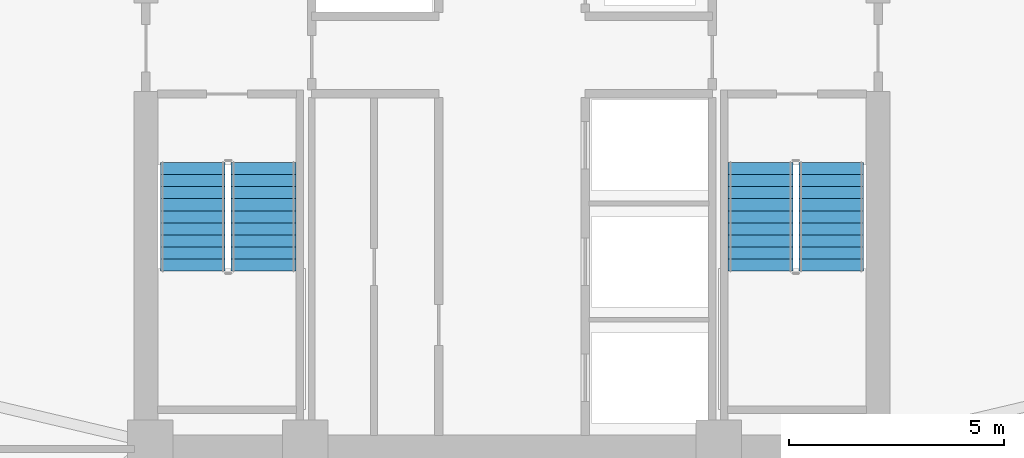
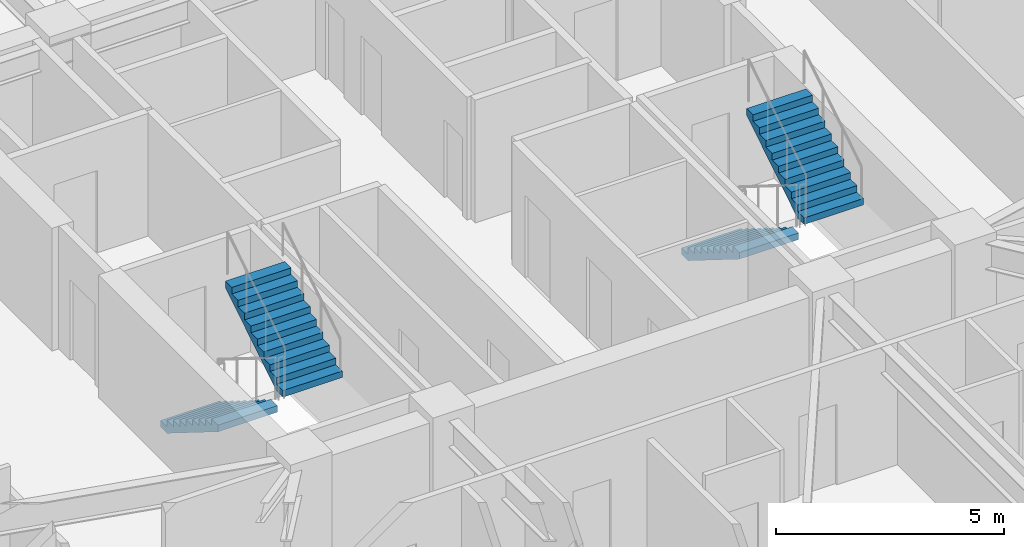
# One storey, part 6 of 10: 4 stair flights, 2 elements without a shape of their own.
"""IFC4 building model written with IfcOpenShell, lengths in metres."""

from ifc_helpers import new_model, si_unit, direction, frame, origin, place, context, subcontext, project, spatial, polyline, outline, extrude, material, type_object, element, aggregate, save


model = new_model("IFC4")

# Units and contexts
model_context = context("Model", 3, precision=1e-05, world=origin(), true_north=direction((0.0, 1.0)))
body_context = subcontext(model_context, "Body", "Model", "MODEL_VIEW")
ifc_project = project(units=[si_unit("LENGTHUNIT", "METRE"), si_unit("AREAUNIT", "SQUARE_METRE"), si_unit("VOLUMEUNIT", "CUBIC_METRE"), si_unit("PLANEANGLEUNIT", "RADIAN"), si_unit("MASSUNIT", "GRAM", prefix="KILO")], contexts=[model_context])

# Site, building, storey
site_placement = place(None, origin())
site = spatial("IfcSite", under=ifc_project, at=site_placement, CompositionType="ELEMENT")
building_placement = place(site_placement, origin())
building = spatial("IfcBuilding", under=site, at=building_placement, Name="Cairnveth Concourse Tower", CompositionType="ELEMENT")
storey_placement = place(building_placement, frame((0.0, 0.0, 144.5)))
storey = spatial("IfcBuildingStorey", under=building, at=storey_placement, Name="L39", CompositionType="ELEMENT", Elevation=144.5)

# Stair, stair flights
ifc_material = material(Name="Precast concrete N50 (50 MPa)", Category="concrete")
stair_type = type_object("IfcStairType", Name="CORE DOG-LEG FIRE STAIR 1500", PredefinedType="HALF_TURN_STAIR", material=ifc_material)
stair_1_placement = place(storey_placement, origin())
stair_1 = element("IfcStair", 1, at=stair_1_placement, inside=storey, type_object=stair_type, Name="L39 Fire-Isolated Stair ST-1", PredefinedType="HALF_TURN_STAIR")
stair_flight_type = type_object("IfcStairFlightType", Name="PRECAST CONCRETE STAIR FLIGHT 1500", PredefinedType="STRAIGHT", material=ifc_material)
stair_flight_1_placement = place(storey_placement, frame((44.590087890625, 37.10009765625, 0.0), z_axis=(0.0, 0.0, 1.0), x_axis=(0.0, -1.0, 0.0)))
stair_flight_1 = element("IfcStairFlight", 2, at=stair_flight_1_placement, type_object=stair_flight_type, Name="ST-1 flight 1", NumberOfRisers=10, NumberOfTreads=9, PredefinedType="STRAIGHT", RiserHeight=0.175, TreadLength=0.28, context=body_context, shape_type="SweptSolid", body=[
    extrude(outline(polyline([(0.0, 0.0), (0.0, 0.175048828125), (0.280029296875, 0.175048828125), (0.280029296875, 0.35009765625), (0.56005859375, 0.35009765625), (0.56005859375, 0.52490234375), (0.840087890625, 0.52490234375), (0.840087890625, 0.699951171875), (1.1201171875, 0.699951171875), (1.1201171875, 0.875), (1.39990234375, 0.875), (1.39990234375, 1.050048828125), (1.679931640625, 1.050048828125), (1.679931640625, 1.22509765625), (1.9599609375, 1.22509765625), (1.9599609375, 1.39990234375), (2.239990234375, 1.39990234375), (2.239990234375, 1.574951171875), (2.52001953125, 1.574951171875), (2.52001953125, 1.75), (2.52001953125, 1.398193359375), (0.28271484375, 0.0), (0.0, 0.0)])), frame((0.0, 0.75, 0.0), z_axis=(0.0, -1.0, 0.0), x_axis=(1.0, 0.0, 0.0)), (0.0, 0.0, 1.0), 1.5),
])
stair_flight_2_placement = place(storey_placement, frame((46.22998046875, 34.580078125, 1.75), z_axis=(0.0, 0.0, 1.0), x_axis=(0.0, 1.0, 0.0)))
stair_flight_2 = element("IfcStairFlight", 3, at=stair_flight_2_placement, type_object=stair_flight_type, Name="ST-1 flight 2", NumberOfRisers=10, NumberOfTreads=9, PredefinedType="STRAIGHT", RiserHeight=0.175, TreadLength=0.28, context=body_context, shape_type="SweptSolid", body=[
    extrude(outline(polyline([(0.0, 0.0), (0.0, 0.175048828125), (0.280029296875, 0.175048828125), (0.280029296875, 0.35009765625), (0.56005859375, 0.35009765625), (0.56005859375, 0.52490234375), (0.840087890625, 0.52490234375), (0.840087890625, 0.699951171875), (1.1201171875, 0.699951171875), (1.1201171875, 0.875), (1.39990234375, 0.875), (1.39990234375, 1.050048828125), (1.679931640625, 1.050048828125), (1.679931640625, 1.22509765625), (1.9599609375, 1.22509765625), (1.9599609375, 1.39990234375), (2.239990234375, 1.39990234375), (2.239990234375, 1.574951171875), (2.52001953125, 1.574951171875), (2.52001953125, 1.75), (2.52001953125, 1.398193359375), (0.28271484375, 0.0), (0.0, 0.0)])), frame((0.0, 0.75, 0.0), z_axis=(0.0, -1.0, 0.0), x_axis=(1.0, 0.0, 0.0)), (0.0, 0.0, 1.0), 1.5),
])
aggregate(stair_1, [stair_flight_1, stair_flight_2])

stair_2_placement = place(storey_placement, origin())
stair_2 = element("IfcStair", 4, at=stair_2_placement, inside=storey, type_object=stair_type, Name="L39 Fire-Isolated Stair ST-2", PredefinedType="HALF_TURN_STAIR")
stair_flight_3_placement = place(storey_placement, frame((57.77001953125, 37.10009765625, 0.0), z_axis=(0.0, 0.0, 1.0), x_axis=(0.0, -1.0, 0.0)))
stair_flight_3 = element("IfcStairFlight", 5, at=stair_flight_3_placement, type_object=stair_flight_type, Name="ST-2 flight 1", NumberOfRisers=10, NumberOfTreads=9, PredefinedType="STRAIGHT", RiserHeight=0.175, TreadLength=0.28, context=body_context, shape_type="SweptSolid", body=[
    extrude(outline(polyline([(0.0, 0.0), (0.0, 0.175048828125), (0.280029296875, 0.175048828125), (0.280029296875, 0.35009765625), (0.56005859375, 0.35009765625), (0.56005859375, 0.52490234375), (0.840087890625, 0.52490234375), (0.840087890625, 0.699951171875), (1.1201171875, 0.699951171875), (1.1201171875, 0.875), (1.39990234375, 0.875), (1.39990234375, 1.050048828125), (1.679931640625, 1.050048828125), (1.679931640625, 1.22509765625), (1.9599609375, 1.22509765625), (1.9599609375, 1.39990234375), (2.239990234375, 1.39990234375), (2.239990234375, 1.574951171875), (2.52001953125, 1.574951171875), (2.52001953125, 1.75), (2.52001953125, 1.398193359375), (0.28271484375, 0.0), (0.0, 0.0)])), frame((0.0, 0.75, 0.0), z_axis=(0.0, -1.0, 0.0), x_axis=(1.0, 0.0, 0.0)), (0.0, 0.0, 1.0), 1.5),
])
stair_flight_4_placement = place(storey_placement, frame((59.409912109375, 34.580078125, 1.75), z_axis=(0.0, 0.0, 1.0), x_axis=(0.0, 1.0, 0.0)))
stair_flight_4 = element("IfcStairFlight", 6, at=stair_flight_4_placement, type_object=stair_flight_type, Name="ST-2 flight 2", NumberOfRisers=10, NumberOfTreads=9, PredefinedType="STRAIGHT", RiserHeight=0.175, TreadLength=0.28, context=body_context, shape_type="SweptSolid", body=[
    extrude(outline(polyline([(0.0, 0.0), (0.0, 0.175048828125), (0.280029296875, 0.175048828125), (0.280029296875, 0.35009765625), (0.56005859375, 0.35009765625), (0.56005859375, 0.52490234375), (0.840087890625, 0.52490234375), (0.840087890625, 0.699951171875), (1.1201171875, 0.699951171875), (1.1201171875, 0.875), (1.39990234375, 0.875), (1.39990234375, 1.050048828125), (1.679931640625, 1.050048828125), (1.679931640625, 1.22509765625), (1.9599609375, 1.22509765625), (1.9599609375, 1.39990234375), (2.239990234375, 1.39990234375), (2.239990234375, 1.574951171875), (2.52001953125, 1.574951171875), (2.52001953125, 1.75), (2.52001953125, 1.398193359375), (0.28271484375, 0.0), (0.0, 0.0)])), frame((0.0, 0.75, 0.0), z_axis=(0.0, -1.0, 0.0), x_axis=(1.0, 0.0, 0.0)), (0.0, 0.0, 1.0), 1.5),
])
aggregate(stair_2, [stair_flight_3, stair_flight_4])

save(model, "model.ifc")
